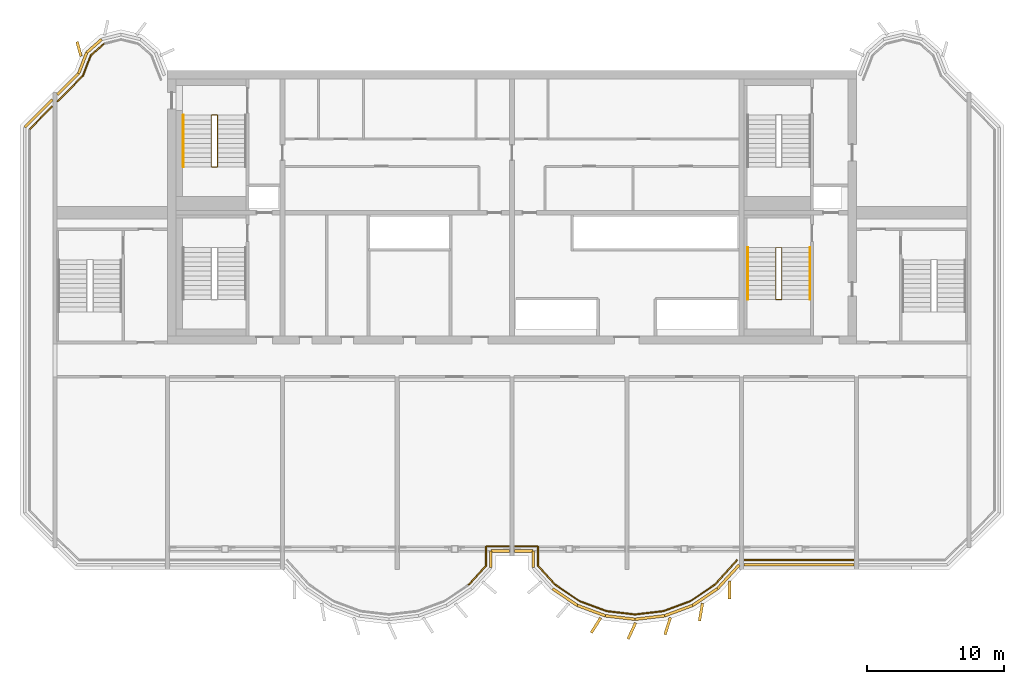
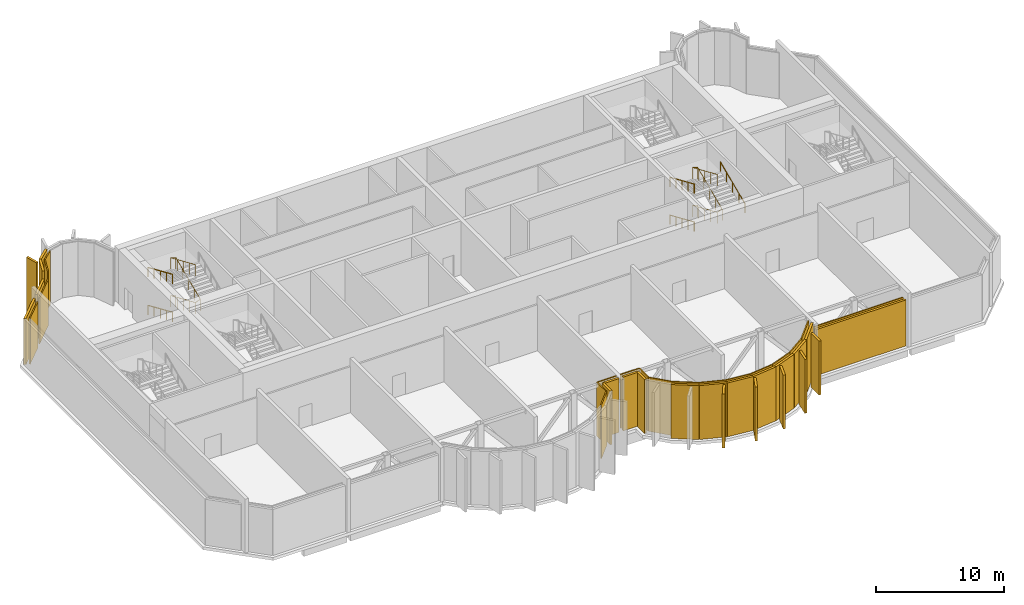
# One storey, part 9 of 11: 24 coverings, 16 shading devices, 7 railings.
"""IFC4 building model written with IfcOpenShell, lengths in metres."""

import ifcopenshell
import ifcopenshell.guid

model = None  # the IFC model being written
_history = None  # IfcOwnerHistory: only IFC2X3 demands one
_inside = {}  # id of a spatial element -> (the spatial element, [elements in it])
_under = {}  # id of a project, library or spatial element -> (it, [spatial elements below it])
_declared = {}  # id of a project -> (the project, [libraries it declares])
_typed = {}  # id of a type object -> (the type object, [elements of that type])
_made_of = {}  # id of a material, layer set ... -> (it, [elements and type objects made of it])


def new_model(schema):
    """Start an empty IFC model of exactly this schema.

    Asked for "IFC4X3", IfcOpenShell would pick the latest addendum, in which some entities
    have other attributes; the version numbers below select the first issue.
    IFC2X3 requires an IfcOwnerHistory on every rooted entity: one is made here for all.
    """
    global model, _history
    if schema == "IFC4X3":
        model = ifcopenshell.file(schema_version=(4, 3, 0, 0))
    else:
        model = ifcopenshell.file(schema=schema)
    _inside.clear()
    _under.clear()
    _declared.clear()
    _typed.clear()
    _made_of.clear()
    _history = None
    if model.schema == "IFC2X3":
        org = make("IfcOrganization", Name="unknown")
        user = make(
            "IfcPersonAndOrganization",
            ThePerson=make("IfcPerson", FamilyName="unknown"),
            TheOrganization=org,
        )
        app = make(
            "IfcApplication",
            ApplicationDeveloper=org,
            Version="unknown",
            ApplicationFullName="unknown",
            ApplicationIdentifier="unknown",
        )
        _history = make(
            "IfcOwnerHistory",
            OwningUser=user,
            OwningApplication=app,
            ChangeAction="ADDED",
            CreationDate=0,
        )
    return model


def make(cls, **values):
    """One entity of the class cls with the attributes given. An attribute that is None is left unset."""
    return model.create_entity(
        cls, **{name: value for name, value in values.items() if value is not None}
    )


def rooted(cls, **values):
    """An entity with a GlobalId (a new one), such as an element, a storey or a relation."""
    return make(cls, GlobalId=ifcopenshell.guid.new(), OwnerHistory=_history, **values)


def si_unit(unit_type, name, prefix=None):
    """IfcSIUnit, for example si_unit("LENGTHUNIT", "METRE", prefix="MILLI")."""
    return make("IfcSIUnit", UnitType=unit_type, Prefix=prefix, Name=name)


def assignment(units):
    """IfcUnitAssignment: the units of a project."""
    return None if units is None else make("IfcUnitAssignment", Units=units)


def point(xyz):
    """IfcCartesianPoint."""
    return None if xyz is None else make("IfcCartesianPoint", Coordinates=xyz)


def direction(xyz):
    """IfcDirection."""
    return None if xyz is None else make("IfcDirection", DirectionRatios=xyz)


def frame(location, z_axis=None, x_axis=None):
    """IfcAxis2Placement3D, a coordinate frame: its origin and axes. An axis left out is left unset."""
    return make(
        "IfcAxis2Placement3D",
        Location=point(location),
        Axis=direction(z_axis),
        RefDirection=direction(x_axis),
    )


def frame_2d(location, x_axis=None):
    """IfcAxis2Placement2D, a coordinate frame in the plane: its origin and x axis."""
    return make(
        "IfcAxis2Placement2D", Location=point(location), RefDirection=direction(x_axis)
    )


def origin():
    """The frame at (0, 0, 0) with its axes left unset."""
    return frame((0.0, 0.0, 0.0))


def origin_2d():
    """The frame at (0, 0) in the plane with its x axis left unset."""
    return frame_2d((0.0, 0.0))


def place(relative_to, where):
    """IfcLocalPlacement: puts the frame where relative to a parent placement (None: the world)."""
    return make(
        "IfcLocalPlacement", PlacementRelTo=relative_to, RelativePlacement=where
    )


def context(
    kind, dimensions, precision=None, world=None, true_north=None, identifier=None
):
    """IfcGeometricRepresentationContext, for example the 3D "Model" context."""
    return make(
        "IfcGeometricRepresentationContext",
        ContextIdentifier=identifier,
        ContextType=kind,
        CoordinateSpaceDimension=dimensions,
        Precision=precision,
        WorldCoordinateSystem=world,
        TrueNorth=true_north,
    )


def subcontext(parent, identifier, kind, view, scale=None):
    """IfcGeometricRepresentationSubContext, for example "Body" below "Model"."""
    return make(
        "IfcGeometricRepresentationSubContext",
        ContextIdentifier=identifier,
        ContextType=kind,
        ParentContext=parent,
        TargetScale=scale,
        TargetView=view,
    )


def project(units=None, contexts=None):
    """IfcProject with its units and contexts."""
    return rooted(
        "IfcProject",
        Name="project",
        RepresentationContexts=contexts,
        UnitsInContext=assignment(units),
    )


def spatial(cls, under=None, at=None, **own):
    """A site, building, storey or space (cls), placed at a placement, below another one or the project."""
    s = rooted(cls, ObjectPlacement=at, **own)
    if under is not None:
        _under.setdefault(under.id(), (under, []))[1].append(s)
    return s


def profile(cls, at=None, kind="AREA", **sizes):
    """A parametric profile (cls). Its sizes go by their IFC names, for example OverallWidth=200.0."""
    return make(cls, ProfileType=kind, Position=at, **sizes)


def rectangle(**sizes):
    """IfcRectangleProfileDef."""
    return profile("IfcRectangleProfileDef", **sizes)


def circle(**sizes):
    """IfcCircleProfileDef."""
    return profile("IfcCircleProfileDef", **sizes)


def extrude(swept, where, along, depth):
    """IfcExtrudedAreaSolid: the profile swept, set in the frame where, extruded along a direction by depth."""
    return make(
        "IfcExtrudedAreaSolid",
        SweptArea=swept,
        Position=where,
        ExtrudedDirection=direction(along),
        Depth=depth,
    )


def shape(context_of_items, identifier, shape_type, items):
    """IfcShapeRepresentation: the items that make up one representation, for example the "Body"."""
    return make(
        "IfcShapeRepresentation",
        ContextOfItems=context_of_items,
        RepresentationIdentifier=identifier,
        RepresentationType=shape_type,
        Items=items,
    )


def source(mapping_origin, context_of_items, identifier, shape_type, items):
    """IfcRepresentationMap: a shape defined once, which mapped items show again and again."""
    return make(
        "IfcRepresentationMap",
        MappingOrigin=mapping_origin,
        MappedRepresentation=shape(context_of_items, identifier, shape_type, items),
    )


def transform(
    local_origin,
    x_axis=None,
    y_axis=None,
    z_axis=None,
    scale=None,
    scale2=None,
    scale3=None,
    uniform=True,
):
    """IfcCartesianTransformationOperator3D, or its non-uniform kind. x_axis, y_axis, z_axis: its Axis1, 2, 3."""
    if uniform:
        return make(
            "IfcCartesianTransformationOperator3D",
            Axis1=direction(x_axis),
            Axis2=direction(y_axis),
            LocalOrigin=point(local_origin),
            Scale=scale,
            Axis3=direction(z_axis),
        )
    return make(
        "IfcCartesianTransformationOperator3DnonUniform",
        Axis1=direction(x_axis),
        Axis2=direction(y_axis),
        LocalOrigin=point(local_origin),
        Scale=scale,
        Axis3=direction(z_axis),
        Scale2=scale2,
        Scale3=scale3,
    )


def mapped(mapping_source, mapping_target):
    """IfcMappedItem: shows the shape of a source again, moved by a transform."""
    return make(
        "IfcMappedItem", MappingSource=mapping_source, MappingTarget=mapping_target
    )


def material(Name=None, Category=None):
    """IfcMaterial."""
    return make("IfcMaterial", Name=Name, Category=Category)


def layer(
    of_material, thickness, ventilated=None, Name=None, Category=None, Priority=None
):
    """IfcMaterialLayer: one layer of a wall or slab, of a material (None: an air gap)."""
    return make(
        "IfcMaterialLayer",
        Material=of_material,
        LayerThickness=thickness,
        IsVentilated=ventilated,
        Name=Name,
        Category=Category,
        Priority=Priority,
    )


def layer_set(layers, Name=None):
    """IfcMaterialLayerSet."""
    return make("IfcMaterialLayerSet", MaterialLayers=layers, LayerSetName=Name)


def material_profile(
    of_material, cross_section, Name=None, Category=None, Priority=None
):
    """IfcMaterialProfile: a cross section and its material."""
    return make(
        "IfcMaterialProfile",
        Name=Name,
        Material=of_material,
        Profile=cross_section,
        Priority=Priority,
        Category=Category,
    )


def profile_set(profiles, Name=None, composite=None):
    """IfcMaterialProfileSet."""
    return make(
        "IfcMaterialProfileSet",
        Name=Name,
        MaterialProfiles=profiles,
        CompositeProfile=composite,
    )


def made_of(thing, what):
    """Note that an element or type object is made of a material, layer set ...; save() writes the relation."""
    if what is not None:
        _made_of.setdefault(what.id(), (what, []))[1].append(thing)
    return thing


def type_object(cls, material=None, **own):
    """A type object (cls), such as IfcWallType, which elements share."""
    return made_of(rooted(cls, **own), material)


def element(
    cls,
    number,
    at=None,
    inside=None,
    cuts=None,
    type_object=None,
    material=None,
    context=None,
    identifier="Body",
    shape_type=None,
    held_by="IfcProductDefinitionShape",
    body=None,
    shapes=None,
    **own,
):
    """One element of the class cls, such as IfcWall. Its Tag is "e" and its number.

    at: its placement. inside: the storey or other place that contains it. cuts: it is an
    opening in that element (IfcRelVoidsElement). A single representation is given by context,
    identifier, shape_type and body (its items); several are given by shapes. held_by: the class
    of the entity that holds the representations. save() writes the other relations.
    """
    e = rooted(cls, Tag="e%d" % number, ObjectPlacement=at, **own)
    if body is not None:
        shapes = [shape(context, identifier, shape_type, body)]
    if shapes is not None:
        e.Representation = make(held_by, Representations=shapes)
    if inside is not None:
        _inside.setdefault(inside.id(), (inside, []))[1].append(e)
    if cuts is not None:
        rooted(
            "IfcRelVoidsElement", RelatingBuildingElement=cuts, RelatedOpeningElement=e
        )
    if type_object is not None:
        _typed.setdefault(type_object.id(), (type_object, []))[1].append(e)
    return made_of(e, material)


def aggregate(whole, parts):
    """IfcRelAggregates: a whole, such as a stair, and the parts it consists of."""
    return rooted("IfcRelAggregates", RelatingObject=whole, RelatedObjects=parts)


def save(model, path):
    """Write the relations noted so far, then the file.

    IfcRelAggregates (storeys below a building ...), IfcRelContainedInSpatialStructure (elements
    in a storey), IfcRelDefinesByType, IfcRelAssociatesMaterial and IfcRelDeclares: one each for
    every whole, place, type object, material and project.
    """
    for whole, parts in _under.values():
        aggregate(whole, parts)
    for where, things in _inside.values():
        rooted(
            "IfcRelContainedInSpatialStructure",
            RelatedElements=things,
            RelatingStructure=where,
        )
    for kind, things in _typed.values():
        rooted("IfcRelDefinesByType", RelatedObjects=things, RelatingType=kind)
    for what, things in _made_of.values():
        rooted("IfcRelAssociatesMaterial", RelatedObjects=things, RelatingMaterial=what)
    for by, libraries in _declared.values():
        rooted("IfcRelDeclares", RelatingContext=by, RelatedDefinitions=libraries)
    model.write(path)


model = new_model("IFC4")

# Units and contexts
model_context = context("Model", 3, precision=1e-05, world=origin(), true_north=direction((0.0, 1.0)))
body_context = subcontext(model_context, "Body", "Model", "MODEL_VIEW")
ifc_project = project(units=[si_unit("LENGTHUNIT", "METRE"), si_unit("AREAUNIT", "SQUARE_METRE"), si_unit("VOLUMEUNIT", "CUBIC_METRE"), si_unit("PLANEANGLEUNIT", "RADIAN"), si_unit("MASSUNIT", "GRAM", prefix="KILO")], contexts=[model_context])

# Site, building, storey
site_placement = place(None, origin())
site = spatial("IfcSite", under=ifc_project, at=site_placement, CompositionType="ELEMENT")
building_placement = place(site_placement, origin())
building = spatial("IfcBuilding", under=site, at=building_placement, Name="Vanashikhar Sky Hotel", CompositionType="ELEMENT")
storey_placement = place(building_placement, frame((0.0, 0.0, 264.699951171875)))
storey = spatial("IfcBuildingStorey", under=building, at=storey_placement, Name="L64", CompositionType="ELEMENT", Elevation=264.699951171875)

# Shading devices
ifc_material_1 = material(Name="Aluminium", Category="aluminium")
ifc_layer_1 = layer(ifc_material_1, 0.199951171875)
ifc_layer_set_1 = layer_set([ifc_layer_1], Name="Aluminium louvre band")
shading_device_type = type_object("IfcShadingDeviceType", Name="Aluminium louvre band", PredefinedType="USERDEFINED", material=ifc_layer_set_1)
shared_shape_1 = source(origin(), body_context, "Body", "SweptSolid", [
    extrude(rectangle(XDim=2.1875, YDim=0.199951171875, at=origin_2d()), origin(), (0.0, 0.0, 1.0), 5.1201171875),
])
for number, where, z_axis, x_axis, name in (
    (1, (54.2705078125, 3.482421875, 0.0), (0.0, 0.0, 1.0), (0.829583722896, -0.558382348132, 0.0), "Louvre band"),
    (2, (56.203125, 2.4912109375, 0.0), (0.0, 0.0, 1.0), (0.937537254303, -0.347884890149, 0.0), "Louvre band"),
    (3, (62.5966796875, 2.4912109375, 0.0), (0.0, 0.0, 1.0), (0.937537254303, 0.347884890149, 0.0), "Louvre band"),
    (4, (64.529541015625, 3.482421875, 0.0), (0.0, 0.0, 1.0), (0.829583722896, 0.558382348132, 0.0), "Louvre band"),
):
    element("IfcShadingDevice", number, at=place(storey_placement, frame(where, z_axis=z_axis, x_axis=x_axis)), inside=storey, type_object=shading_device_type, Name=name, ObjectType="LOUVRE", PredefinedType="USERDEFINED", context=body_context, shape_type="MappedRepresentation", body=[
        mapped(shared_shape_1, transform((0.0, 0.0, 0.0), scale=1.0)),
    ])
shared_shape_2 = source(origin(), body_context, "Body", "SweptSolid", [
    extrude(rectangle(XDim=2.1865234375, YDim=0.199951171875, at=origin_2d()), origin(), (0.0, 0.0, 1.0), 5.1201171875),
])
for number, where, z_axis, x_axis, name in (
    (5, (58.314453125, 1.9814453125, 0.0), (0.0, 0.0, 1.0), (0.993008838731, -0.118040019495, 0.0), "Louvre band"),
    (6, (60.485595703125, 1.9814453125, 0.0), (0.0, 0.0, 1.0), (0.993008838731, 0.118040019495, 0.0), "Louvre band"),
):
    element("IfcShadingDevice", number, at=place(storey_placement, frame(where, z_axis=z_axis, x_axis=x_axis)), inside=storey, type_object=shading_device_type, Name=name, ObjectType="LOUVRE", PredefinedType="USERDEFINED", context=body_context, shape_type="MappedRepresentation", body=[
        mapped(shared_shape_2, transform((0.0, 0.0, 0.0), scale=1.0)),
    ])
shared_shape_3 = source(origin(), body_context, "Body", "SweptSolid", [
    extrude(rectangle(XDim=1.214111328125, YDim=0.199951171875, at=origin_2d()), origin(), (0.0, 0.0, 1.0), 5.1201171875),
])
for number, where, z_axis, x_axis, name in (
    (7, (48.85009765625, 6.242919921875, 0.0), (0.0, 0.0, 1.0), (0.0, 1.0, 0.0), "Louvre band"),
    (8, (51.949951171875, 6.242919921875, 0.0), (0.0, 0.0, 1.0), (0.0, -1.0, 0.0), "Louvre band"),
):
    element("IfcShadingDevice", number, at=place(storey_placement, frame(where, z_axis=z_axis, x_axis=x_axis)), inside=storey, type_object=shading_device_type, Name=name, ObjectType="LOUVRE", PredefinedType="USERDEFINED", context=body_context, shape_type="MappedRepresentation", body=[
        mapped(shared_shape_3, transform((0.0, 0.0, 0.0), scale=1.0)),
    ])
shared_shape_4 = source(origin(), body_context, "Body", "SweptSolid", [
    extrude(rectangle(XDim=1.464599609375, YDim=0.199951171875, at=origin_2d()), origin(), (0.0, 0.0, 1.0), 5.1201171875),
])
shading_device_1_placement = place(storey_placement, frame((19.830078125, 43.805908203125, 0.0), z_axis=(0.0, 0.0, 1.0), x_axis=(-0.749741606437, -0.661730703214, 0.0)))
element("IfcShadingDevice", 9, at=shading_device_1_placement, inside=storey, type_object=shading_device_type, Name="Louvre band", ObjectType="LOUVRE", PredefinedType="USERDEFINED", context=body_context, shape_type="MappedRepresentation", body=[
    mapped(shared_shape_4, transform((0.0, 0.0, 0.0), scale=1.0)),
])

# Coverings
ifc_material_2 = material(Name="Concrete M40", Category="concrete")
ifc_layer_2 = layer(ifc_material_2, 0.10009765625)
ifc_layer_set_2 = layer_set([ifc_layer_2], Name="Plant floor cladding panel")
covering_type_1 = type_object("IfcCoveringType", Name="Plant floor cladding panel", PredefinedType="CLADDING", material=ifc_layer_set_2)
shared_shape_5 = source(origin(), body_context, "Body", "SweptSolid", [
    extrude(rectangle(XDim=2.49462890625, YDim=0.10009765625, at=origin_2d()), origin(), (0.0, 0.0, 1.0), 5.1201171875),
])
covering_1_placement = place(storey_placement, frame((66.049560546875, 5.280029296875, 0.0), z_axis=(0.0, 0.0, 1.0), x_axis=(0.675384294604, 0.737465968437, 0.0)))
element("IfcCovering", 10, at=covering_1_placement, inside=storey, type_object=covering_type_1, Name="Plant floor cladding panel", PredefinedType="CLADDING", context=body_context, shape_type="MappedRepresentation", body=[
    mapped(shared_shape_5, transform((0.0, 0.0, 0.0), scale=1.0)),
])
shared_shape_6 = source(origin(), body_context, "Body", "SweptSolid", [
    extrude(rectangle(XDim=2.104248046875, YDim=0.10009765625, at=origin_2d()), origin(), (0.0, 0.0, 1.0), 5.1201171875),
])
for number, where, z_axis, x_axis, name in (
    (11, (54.4658203125, 3.772705078125, 0.0), (0.0, 0.0, 1.0), (0.829603213612, -0.558353389857, 0.0), "Plant floor cladding panel"),
    (12, (64.333984375, 3.772705078125, 0.0), (0.0, 0.0, 1.0), (0.829603213612, 0.558353389857, 0.0), "Plant floor cladding panel"),
):
    element("IfcCovering", number, at=place(storey_placement, frame(where, z_axis=z_axis, x_axis=x_axis)), inside=storey, type_object=covering_type_1, Name=name, PredefinedType="CLADDING", context=body_context, shape_type="MappedRepresentation", body=[
        mapped(shared_shape_6, transform((0.0, 0.0, 0.0), scale=1.0)),
    ])
shared_shape_7 = source(origin(), body_context, "Body", "SweptSolid", [
    extrude(rectangle(XDim=2.10400390625, YDim=0.10009765625, at=origin_2d()), origin(), (0.0, 0.0, 1.0), 5.1201171875),
])
for number, where, z_axis, x_axis, name in (
    (13, (56.3251953125, 2.8193359375, 0.0), (0.0, 0.0, 1.0), (0.937537254303, -0.347884890149, 0.0), "Plant floor cladding panel"),
    (14, (62.474853515625, 2.8193359375, 0.0), (0.0, 0.0, 1.0), (0.937537254303, 0.347884890149, 0.0), "Plant floor cladding panel"),
):
    element("IfcCovering", number, at=place(storey_placement, frame(where, z_axis=z_axis, x_axis=x_axis)), inside=storey, type_object=covering_type_1, Name=name, PredefinedType="CLADDING", context=body_context, shape_type="MappedRepresentation", body=[
        mapped(shared_shape_7, transform((0.0, 0.0, 0.0), scale=1.0)),
    ])
shared_shape_8 = source(origin(), body_context, "Body", "SweptSolid", [
    extrude(rectangle(XDim=2.103271484375, YDim=0.10009765625, at=origin_2d()), origin(), (0.0, 0.0, 1.0), 5.1201171875),
])
for number, where, z_axis, x_axis, name in (
    (15, (58.355712890625, 2.3291015625, 0.0), (0.0, 0.0, 1.0), (0.993002656809, -0.118092013154, 0.0), "Plant floor cladding panel"),
    (16, (60.4443359375, 2.3291015625, 0.0), (0.0, 0.0, 1.0), (0.993002656809, 0.118092013154, 0.0), "Plant floor cladding panel"),
):
    element("IfcCovering", number, at=place(storey_placement, frame(where, z_axis=z_axis, x_axis=x_axis)), inside=storey, type_object=covering_type_1, Name=name, PredefinedType="CLADDING", context=body_context, shape_type="MappedRepresentation", body=[
        mapped(shared_shape_8, transform((0.0, 0.0, 0.0), scale=1.0)),
    ])
shared_shape_9 = source(origin(), body_context, "Body", "SweptSolid", [
    extrude(rectangle(XDim=1.91455078125, YDim=0.10009765625, at=origin_2d()), origin(), (0.0, 0.0, 1.0), 5.1201171875),
])
for number, where, z_axis, x_axis, name in (
    (17, (47.853515625, 5.066162109375, 0.0), (0.0, 0.0, 1.0), (0.675371423292, 0.737477756004, 0.0), "Plant floor cladding panel"),
    (18, (52.946533203125, 5.066162109375, 0.0), (0.0, 0.0, 1.0), (0.675371423292, -0.737477756004, 0.0), "Plant floor cladding panel"),
):
    element("IfcCovering", number, at=place(storey_placement, frame(where, z_axis=z_axis, x_axis=x_axis)), inside=storey, type_object=covering_type_1, Name=name, PredefinedType="CLADDING", context=body_context, shape_type="MappedRepresentation", body=[
        mapped(shared_shape_9, transform((0.0, 0.0, 0.0), scale=1.0)),
    ])
shared_shape_10 = source(origin(), body_context, "Body", "SweptSolid", [
    extrude(rectangle(XDim=1.427978515625, YDim=0.10009765625, at=origin_2d()), origin(), (0.0, 0.0, 1.0), 5.1201171875),
])
for number, where, z_axis, x_axis, name in (
    (19, (48.5, 6.486083984375, 0.0), (0.0, 0.0, 1.0), (0.0, 1.0, 0.0), "Plant floor cladding panel"),
    (20, (52.300048828125, 6.486083984375, 0.0), (0.0, 0.0, 1.0), (0.0, -1.0, 0.0), "Plant floor cladding panel"),
):
    element("IfcCovering", number, at=place(storey_placement, frame(where, z_axis=z_axis, x_axis=x_axis)), inside=storey, type_object=covering_type_1, Name=name, PredefinedType="CLADDING", context=body_context, shape_type="MappedRepresentation", body=[
        mapped(shared_shape_10, transform((0.0, 0.0, 0.0), scale=1.0)),
    ])
shared_shape_11 = source(origin(), body_context, "Body", "SweptSolid", [
    extrude(rectangle(XDim=1.29248046875, YDim=0.10009765625, at=origin_2d()), origin(), (0.0, 0.0, 1.0), 5.1201171875),
])
covering_2_placement = place(storey_placement, frame((20.061767578125, 43.543701171875, 0.0), z_axis=(0.0, 0.0, 1.0), x_axis=(-0.749683856685, -0.661796127993, 0.0)))
element("IfcCovering", 21, at=covering_2_placement, inside=storey, type_object=covering_type_1, Name="Plant floor cladding panel", PredefinedType="CLADDING", context=body_context, shape_type="MappedRepresentation", body=[
    mapped(shared_shape_11, transform((0.0, 0.0, 0.0), scale=1.0)),
])
ifc_material_3 = material(Name="Concrete M60 dark", Category="concrete")
ifc_material_profile_1 = material_profile(ifc_material_3, rectangle(XDim=1.10009765625, YDim=0.199951171875, at=origin_2d()))
ifc_profile_set_1 = profile_set([ifc_material_profile_1], Name="Rear lobe fin 1100 x 200")
covering_type_2 = type_object("IfcCoveringType", Name="Rear lobe fin 1100 x 200", PredefinedType="CLADDING", material=ifc_profile_set_1)
shared_shape_12 = source(origin(), body_context, "Body", "SweptSolid", [
    extrude(rectangle(XDim=1.10009765625, YDim=0.199951171875, at=origin_2d()), origin(), (0.0, 0.0, 1.0), 5.1201171875),
])
covering_3_placement = place(storey_placement, frame((18.720703125, 43.580078125, 0.0), z_axis=(0.0, 0.0, 1.0), x_axis=(-0.262711264409, 0.964874495234, 0.0)))
element("IfcCovering", 22, at=covering_3_placement, inside=storey, type_object=covering_type_2, Name="Fin R1-1", PredefinedType="CLADDING", context=body_context, shape_type="MappedRepresentation", body=[
    mapped(shared_shape_12, transform((0.0, 0.0, 0.0), scale=1.0)),
])
ifc_material_profile_2 = material_profile(ifc_material_3, rectangle(XDim=1.300048828125, YDim=0.199951171875, at=origin_2d()))
ifc_profile_set_2 = profile_set([ifc_material_profile_2], Name="Fin 1300 x 200")
covering_type_3 = type_object("IfcCoveringType", Name="Fin 1300 x 200", PredefinedType="CLADDING", material=ifc_profile_set_2)
shared_shape_13 = source(origin(), body_context, "Body", "SweptSolid", [
    extrude(rectangle(XDim=1.300048828125, YDim=0.199951171875, at=origin_2d()), origin(), (0.0, 0.0, 1.0), 5.1201171875),
])
for number, where, z_axis, x_axis, name in (
    (23, (56.547119140625, 1.416015625, 0.0), (0.0, 0.0, 1.0), (-0.534411358496, -0.845224526331, 0.0), "Fin F2-3"),
    (24, (59.16748046875, 1.00146484375, 0.0), (0.0, 0.0, 1.0), (-0.422618261741, -0.906307787037, 0.0), "Fin F2-4"),
    (25, (61.790771484375, 1.35693359375, 0.0), (0.0, 0.0, 1.0), (-0.303966551867, -0.952682704444, 0.0), "Fin F2-5"),
    (26, (64.2275390625, 2.3779296875, 0.0), (0.0, 0.0, 1.0), (-0.16989991575, -0.985461322746, 0.0), "Fin F2-6"),
    (27, (66.317626953125, 3.992919921875, 0.0), (0.0, 0.0, 1.0), (-0.011588726826, -0.999932848451, 0.0), "Fin F2-7"),
):
    element("IfcCovering", number, at=place(storey_placement, frame(where, z_axis=z_axis, x_axis=x_axis)), inside=storey, type_object=covering_type_3, Name=name, PredefinedType="CLADDING", context=body_context, shape_type="MappedRepresentation", body=[
        mapped(shared_shape_13, transform((0.0, 0.0, 0.0), scale=1.0)),
    ])

# Shading devices
shared_shape_14 = source(origin(), body_context, "Body", "SweptSolid", [
    extrude(rectangle(XDim=8.0400390625, YDim=0.199951171875, at=origin_2d()), origin(), (0.0, 0.0, 1.0), 4.3701171875),
])
shading_device_2_placement = place(storey_placement, frame((71.39990234375, 5.85009765625, 0.0), z_axis=(0.0, 0.0, 1.0), x_axis=(1.0, 0.0, 0.0)))
element("IfcShadingDevice", 28, at=shading_device_2_placement, inside=storey, type_object=shading_device_type, Name="Louvre band", ObjectType="LOUVRE", PredefinedType="USERDEFINED", context=body_context, shape_type="MappedRepresentation", body=[
    mapped(shared_shape_14, transform((0.0, 0.0, 0.0), scale=1.0)),
])
shared_shape_15 = source(origin(), body_context, "Body", "SweptSolid", [
    extrude(rectangle(XDim=2.343994140625, YDim=0.199951171875, at=origin_2d()), origin(), (0.0, 0.0, 1.0), 5.1201171875),
])
shading_device_3_placement = place(storey_placement, frame((66.228515625, 4.95751953125, 0.0), z_axis=(0.0, 0.0, 1.0), x_axis=(0.675358551774, 0.737489543347, 0.0)))
element("IfcShadingDevice", 29, at=shading_device_3_placement, inside=storey, type_object=shading_device_type, Name="Louvre band", ObjectType="LOUVRE", PredefinedType="USERDEFINED", context=body_context, shape_type="MappedRepresentation", body=[
    mapped(shared_shape_15, transform((0.0, 0.0, 0.0), scale=1.0)),
])
shared_shape_16 = source(origin(), body_context, "Body", "SweptSolid", [
    extrude(rectangle(XDim=1.3701171875, YDim=0.199951171875, at=origin_2d()), origin(), (0.0, 0.0, 1.0), 5.1201171875),
])
for number, where, z_axis, x_axis, name in (
    (30, (49.534912109375, 6.85009765625, 0.0), (0.0, 0.0, 1.0), (1.0, 0.0, 0.0), "Louvre band"),
    (31, (51.264892578125, 6.85009765625, 0.0), (0.0, 0.0, 1.0), (1.0, 0.0, 0.0), "Louvre band"),
):
    element("IfcShadingDevice", number, at=place(storey_placement, frame(where, z_axis=z_axis, x_axis=x_axis)), inside=storey, type_object=shading_device_type, Name=name, ObjectType="LOUVRE", PredefinedType="USERDEFINED", context=body_context, shape_type="MappedRepresentation", body=[
        mapped(shared_shape_16, transform((0.0, 0.0, 0.0), scale=1.0)),
    ])

# Coverings
shared_shape_17 = source(origin(), body_context, "Body", "SweptSolid", [
    extrude(rectangle(XDim=8.0400390625, YDim=0.10009765625, at=origin_2d()), origin(), (0.0, 0.0, 1.0), 4.3701171875),
])
covering_4_placement = place(storey_placement, frame((71.39990234375, 6.199951171875, 0.0), z_axis=(0.0, 0.0, 1.0), x_axis=(1.0, 0.0, 0.0)))
element("IfcCovering", 32, at=covering_4_placement, inside=storey, type_object=covering_type_1, Name="Plant floor cladding panel", PredefinedType="CLADDING", context=body_context, shape_type="MappedRepresentation", body=[
    mapped(shared_shape_17, transform((0.0, 0.0, 0.0), scale=1.0)),
])
shared_shape_18 = source(origin(), body_context, "Body", "SweptSolid", [
    extrude(rectangle(XDim=1.719970703125, YDim=0.10009765625, at=origin_2d()), origin(), (0.0, 0.0, 1.0), 5.1201171875),
])
for number, where, z_axis, x_axis, name in (
    (33, (49.360107421875, 7.199951171875, 0.0), (0.0, 0.0, 1.0), (1.0, 0.0, 0.0), "Plant floor cladding panel"),
    (34, (51.43994140625, 7.199951171875, 0.0), (0.0, 0.0, 1.0), (1.0, 0.0, 0.0), "Plant floor cladding panel"),
):
    element("IfcCovering", number, at=place(storey_placement, frame(where, z_axis=z_axis, x_axis=x_axis)), inside=storey, type_object=covering_type_1, Name=name, PredefinedType="CLADDING", context=body_context, shape_type="MappedRepresentation", body=[
        mapped(shared_shape_18, transform((0.0, 0.0, 0.0), scale=1.0)),
    ])

# Shading devices
shared_shape_19 = source(origin(), body_context, "Body", "SweptSolid", [
    extrude(rectangle(XDim=2.856689453125, YDim=0.199951171875, at=origin_2d()), origin(), (0.0, 0.0, 1.0), 4.3701171875),
])
shading_device_4_placement = place(storey_placement, frame((15.760009765625, 38.864990234375, 0.0), z_axis=(0.0, 0.0, 1.0), x_axis=(-0.707106781187, -0.707106781187, 0.0)))
element("IfcShadingDevice", 35, at=shading_device_4_placement, inside=storey, type_object=shading_device_type, Name="Louvre band", ObjectType="LOUVRE", PredefinedType="USERDEFINED", context=body_context, shape_type="MappedRepresentation", body=[
    mapped(shared_shape_19, transform((0.0, 0.0, 0.0), scale=1.0)),
])
shared_shape_20 = source(origin(), body_context, "Body", "SweptSolid", [
    extrude(rectangle(XDim=2.220703125, YDim=0.199951171875, at=origin_2d()), origin(), (0.0, 0.0, 1.0), 4.3701171875),
])
shading_device_5_placement = place(storey_placement, frame((17.9150390625, 41.02001953125, 0.0), z_axis=(0.0, 0.0, 1.0), x_axis=(-0.707106781187, -0.707106781187, 0.0)))
element("IfcShadingDevice", 36, at=shading_device_5_placement, inside=storey, type_object=shading_device_type, Name="Louvre band", ObjectType="LOUVRE", PredefinedType="USERDEFINED", context=body_context, shape_type="MappedRepresentation", body=[
    mapped(shared_shape_20, transform((0.0, 0.0, 0.0), scale=1.0)),
])
shared_shape_21 = source(origin(), body_context, "Body", "SweptSolid", [
    extrude(rectangle(XDim=1.623779296875, YDim=0.199951171875, at=origin_2d()), origin(), (0.0, 0.0, 1.0), 5.1201171875),
])
shading_device_6_placement = place(storey_placement, frame((18.990478515625, 42.563232421875, 0.0), z_axis=(0.0, 0.0, 1.0), x_axis=(-0.357748696787, -0.933817899779, 0.0)))
element("IfcShadingDevice", 37, at=shading_device_6_placement, inside=storey, type_object=shading_device_type, Name="Louvre band", ObjectType="LOUVRE", PredefinedType="USERDEFINED", context=body_context, shape_type="MappedRepresentation", body=[
    mapped(shared_shape_21, transform((0.0, 0.0, 0.0), scale=1.0)),
])

# Coverings
shared_shape_22 = source(origin(), body_context, "Body", "SweptSolid", [
    extrude(rectangle(XDim=2.36181640625, YDim=0.10009765625, at=origin_2d()), origin(), (0.0, 0.0, 1.0), 4.3701171875),
])
covering_5_placement = place(storey_placement, frame((15.93505859375, 38.545166015625, 0.0), z_axis=(0.0, 0.0, 1.0), x_axis=(-0.70711912242, -0.707094439737, 0.0)))
element("IfcCovering", 38, at=covering_5_placement, inside=storey, type_object=covering_type_1, Name="Plant floor cladding panel", PredefinedType="CLADDING", context=body_context, shape_type="MappedRepresentation", body=[
    mapped(shared_shape_22, transform((0.0, 0.0, 0.0), scale=1.0)),
])
shared_shape_23 = source(origin(), body_context, "Body", "SweptSolid", [
    extrude(rectangle(XDim=2.64501953125, YDim=0.10009765625, at=origin_2d()), origin(), (0.0, 0.0, 1.0), 4.3701171875),
])
covering_6_placement = place(storey_placement, frame((18.065185546875, 40.67529296875, 0.0), z_axis=(0.0, 0.0, 1.0), x_axis=(-0.70711912242, -0.707094439737, 0.0)))
element("IfcCovering", 39, at=covering_6_placement, inside=storey, type_object=covering_type_1, Name="Plant floor cladding panel", PredefinedType="CLADDING", context=body_context, shape_type="MappedRepresentation", body=[
    mapped(shared_shape_23, transform((0.0, 0.0, 0.0), scale=1.0)),
])
shared_shape_24 = source(origin(), body_context, "Body", "SweptSolid", [
    extrude(rectangle(XDim=1.6123046875, YDim=0.10009765625, at=origin_2d()), origin(), (0.0, 0.0, 1.0), 5.1201171875),
])
covering_7_placement = place(storey_placement, frame((19.288818359375, 42.36328125, 0.0), z_axis=(0.0, 0.0, 1.0), x_axis=(-0.357748696787, -0.933817899779, 0.0)))
element("IfcCovering", 40, at=covering_7_placement, inside=storey, type_object=covering_type_1, Name="Plant floor cladding panel", PredefinedType="CLADDING", context=body_context, shape_type="MappedRepresentation", body=[
    mapped(shared_shape_24, transform((0.0, 0.0, 0.0), scale=1.0)),
])

# Railings
ifc_material_4 = material(Name="Steel S355", Category="steel")
railing_type_1 = type_object("IfcRailingType", Name="Stair handrail 900", PredefinedType="HANDRAIL", material=ifc_material_4)
shared_shape_25 = source(origin(), body_context, "Body", "SweptSolid", [
    extrude(circle(Radius=0.02392578125, at=origin_2d()), frame((0.0, 0.0, 0.8759765625), z_axis=(0.0, -0.917250781605, 0.398310185215), x_axis=(1.0, 0.0, 0.0)), (0.0, 0.0, 1.0), 4.142822265625),
    extrude(circle(Radius=0.02099609375, at=origin_2d()), origin(), (0.0, 0.0, 1.0), 0.851806640625),
    extrude(circle(Radius=0.02099609375, at=origin_2d()), frame((0.0, -0.949951171875, 0.41259765625)), (0.0, 0.0, 1.0), 0.851806640625),
    extrude(circle(Radius=0.02099609375, at=origin_2d()), frame((0.0, -1.89990234375, 0.8251953125)), (0.0, 0.0, 1.0), 0.851806640625),
    extrude(circle(Radius=0.02099609375, at=origin_2d()), frame((0.0, -2.85009765625, 1.237548828125)), (0.0, 0.0, 1.0), 0.851806640625),
    extrude(circle(Radius=0.02099609375, at=origin_2d()), frame((0.0, -3.800048828125, 1.650146484375)), (0.0, 0.0, 1.0), 0.851806640625),
])
for number, where, name in (
    (41, (67.64990234375, 29.050048828125, 3.75), "Exit stair 2 handrail"),
    (42, (26.35009765625, 38.75, 3.75), "Exit stair 5 handrail"),
):
    element("IfcRailing", number, at=place(storey_placement, frame(where)), inside=storey, type_object=railing_type_1, Name=name, PredefinedType="HANDRAIL", context=body_context, shape_type="MappedRepresentation", body=[
        mapped(shared_shape_25, transform((0.0, 0.0, 0.0), scale=1.0)),
    ])
shared_shape_26 = source(origin(), body_context, "Body", "SweptSolid", [
    extrude(circle(Radius=0.02392578125, at=origin_2d()), frame((0.0, 0.0, 0.8759765625), z_axis=(0.0, 0.917250781605, 0.398310185215), x_axis=(-1.0, 0.0, 0.0)), (0.0, 0.0, 1.0), 4.142822265625),
    extrude(circle(Radius=0.02099609375, at=origin_2d()), origin(), (0.0, 0.0, 1.0), 0.851806640625),
    extrude(circle(Radius=0.02099609375, at=origin_2d()), frame((0.0, 0.949951171875, 0.41259765625)), (0.0, 0.0, 1.0), 0.851806640625),
    extrude(circle(Radius=0.02099609375, at=origin_2d()), frame((0.0, 1.89990234375, 0.8251953125)), (0.0, 0.0, 1.0), 0.851806640625),
    extrude(circle(Radius=0.02099609375, at=origin_2d()), frame((0.0, 2.85009765625, 1.237548828125)), (0.0, 0.0, 1.0), 0.851806640625),
    extrude(circle(Radius=0.02099609375, at=origin_2d()), frame((0.0, 3.800048828125, 1.650146484375)), (0.0, 0.0, 1.0), 0.851806640625),
])
railing_1_placement = place(storey_placement, frame((72.199951171875, 25.25, 1.949951171875)))
element("IfcRailing", 43, at=railing_1_placement, inside=storey, type_object=railing_type_1, Name="Exit stair 2 handrail", PredefinedType="HANDRAIL", context=body_context, shape_type="MappedRepresentation", body=[
    mapped(shared_shape_26, transform((0.0, 0.0, 0.0), scale=1.0)),
])
shared_shape_27 = source(origin(), body_context, "Body", "SweptSolid", [
    extrude(circle(Radius=0.02392578125, at=origin_2d()), frame((0.0, 0.0, 0.8759765625), z_axis=(0.0, -0.91727231099, 0.398260602484), x_axis=(1.0, 0.0, 0.0)), (0.0, 0.0, 1.0), 4.142822265625),
    extrude(circle(Radius=0.02099609375, at=origin_2d()), origin(), (0.0, 0.0, 1.0), 0.851806640625),
    extrude(circle(Radius=0.02099609375, at=origin_2d()), frame((0.0, -0.949951171875, 0.41259765625)), (0.0, 0.0, 1.0), 0.851806640625),
    extrude(circle(Radius=0.02099609375, at=origin_2d()), frame((0.0, -1.89990234375, 0.824951171875)), (0.0, 0.0, 1.0), 0.851806640625),
    extrude(circle(Radius=0.02099609375, at=origin_2d()), frame((0.0, -2.85009765625, 1.2373046875)), (0.0, 0.0, 1.0), 0.851806640625),
    extrude(circle(Radius=0.02099609375, at=origin_2d()), frame((0.0, -3.800048828125, 1.64990234375)), (0.0, 0.0, 1.0), 0.851806640625),
])
for number, where, name in (
    (44, (67.64990234375, 29.050048828125, 0.150146484375), "Exit stair 2 handrail"),
    (45, (26.35009765625, 38.75, 0.150146484375), "Exit stair 5 handrail"),
):
    element("IfcRailing", number, at=place(storey_placement, frame(where)), inside=storey, type_object=railing_type_1, Name=name, PredefinedType="HANDRAIL", context=body_context, shape_type="MappedRepresentation", body=[
        mapped(shared_shape_27, transform((0.0, 0.0, 0.0), scale=1.0)),
    ])
railing_type_2 = type_object("IfcRailingType", Name="Stair guard 1100", PredefinedType="GUARDRAIL", material=ifc_material_4)
shared_shape_28 = source(origin(), body_context, "Body", "SweptSolid", [
    extrude(circle(Radius=0.02392578125, at=origin_2d()), frame((0.0, 0.0, 1.076171875), z_axis=(-0.948631841254, 0.0, 0.316382094561), x_axis=(0.0, -1.0, 0.0)), (0.0, 0.0, 1.0), 0.474609375),
    extrude(circle(Radius=0.02392578125, at=origin_2d()), frame((-0.4501953125, 0.0, 1.22607421875), z_axis=(0.0, -0.91727231099, 0.398260602484), x_axis=(1.0, 0.0, 0.0)), (0.0, 0.0, 1.0), 4.142822265625),
    extrude(circle(Radius=0.02392578125, at=origin_2d()), frame((-0.4501953125, -3.800048828125, 2.8759765625), z_axis=(0.948786153043, 0.0, 0.315919033605), x_axis=(0.0, 1.0, 0.0)), (0.0, 0.0, 1.0), 0.474609375),
    extrude(circle(Radius=0.02392578125, at=origin_2d()), frame((0.0, -3.800048828125, 3.02587890625), z_axis=(0.0, 0.917250781605, 0.398310185215), x_axis=(-1.0, 0.0, 0.0)), (0.0, 0.0, 1.0), 4.142822265625),
    extrude(circle(Radius=0.02392578125, at=origin_2d()), frame((0.0, 0.0, 4.67626953125), z_axis=(-0.948786153043, 0.0, 0.315919033605), x_axis=(0.0, -1.0, 0.0)), (0.0, 0.0, 1.0), 0.474609375),
    extrude(circle(Radius=0.02392578125, at=origin_2d()), frame((-0.4501953125, 0.0, 4.826171875), z_axis=(0.0, -0.917250781605, 0.398310185215), x_axis=(1.0, 0.0, 0.0)), (0.0, 0.0, 1.0), 4.142822265625),
    extrude(circle(Radius=0.02099609375, at=origin_2d()), origin(), (0.0, 0.0, 1.0), 1.052001953125),
    extrude(circle(Radius=0.02099609375, at=origin_2d()), frame((-0.4501953125, 0.0, 0.150146484375)), (0.0, 0.0, 1.0), 1.052001953125),
    extrude(circle(Radius=0.02099609375, at=origin_2d()), frame((-0.4501953125, -0.949951171875, 0.5625)), (0.0, 0.0, 1.0), 1.052001953125),
    extrude(circle(Radius=0.02099609375, at=origin_2d()), frame((-0.4501953125, -1.89990234375, 0.97509765625)), (0.0, 0.0, 1.0), 1.052001953125),
    extrude(circle(Radius=0.02099609375, at=origin_2d()), frame((-0.4501953125, -2.85009765625, 1.3876953125)), (0.0, 0.0, 1.0), 1.052001953125),
    extrude(circle(Radius=0.02099609375, at=origin_2d()), frame((-0.4501953125, -3.800048828125, 1.800048828125)), (0.0, 0.0, 1.0), 1.052001953125),
    extrude(circle(Radius=0.02099609375, at=origin_2d()), frame((0.0, -3.800048828125, 1.949951171875)), (0.0, 0.0, 1.0), 1.052001953125),
    extrude(circle(Radius=0.02099609375, at=origin_2d()), frame((0.0, -2.85009765625, 2.362548828125)), (0.0, 0.0, 1.0), 1.052001953125),
    extrude(circle(Radius=0.02099609375, at=origin_2d()), frame((0.0, -1.89990234375, 2.77490234375)), (0.0, 0.0, 1.0), 1.052001953125),
    extrude(circle(Radius=0.02099609375, at=origin_2d()), frame((0.0, -0.949951171875, 3.1875)), (0.0, 0.0, 1.0), 1.052001953125),
    extrude(circle(Radius=0.02099609375, at=origin_2d()), frame((0.0, 0.0, 3.60009765625)), (0.0, 0.0, 1.0), 1.052001953125),
    extrude(circle(Radius=0.02099609375, at=origin_2d()), frame((-0.4501953125, 0.0, 3.75)), (0.0, 0.0, 1.0), 1.052001953125),
    extrude(circle(Radius=0.02099609375, at=origin_2d()), frame((-0.4501953125, -0.949951171875, 4.16259765625)), (0.0, 0.0, 1.0), 1.052001953125),
    extrude(circle(Radius=0.02099609375, at=origin_2d()), frame((-0.4501953125, -1.89990234375, 4.5751953125)), (0.0, 0.0, 1.0), 1.052001953125),
    extrude(circle(Radius=0.02099609375, at=origin_2d()), frame((-0.4501953125, -2.85009765625, 4.987548828125)), (0.0, 0.0, 1.0), 1.052001953125),
    extrude(circle(Radius=0.02099609375, at=origin_2d()), frame((-0.4501953125, -3.800048828125, 5.400146484375)), (0.0, 0.0, 1.0), 1.052001953125),
])
railing_2_placement = place(storey_placement, frame((28.85009765625, 38.75, 0.0)))
element("IfcRailing", 46, at=railing_2_placement, inside=storey, type_object=railing_type_2, Name="Exit stair 5 guard", PredefinedType="GUARDRAIL", context=body_context, shape_type="MappedRepresentation", body=[
    mapped(shared_shape_28, transform((0.0, 0.0, 0.0), scale=1.0)),
])
shared_shape_29 = source(origin(), body_context, "Body", "SweptSolid", [
    extrude(circle(Radius=0.02392578125, at=origin_2d()), frame((0.0, 0.0, 1.076171875), z_axis=(-0.948580309067, 0.0, 0.316536565424), x_axis=(0.0, -1.0, 0.0)), (0.0, 0.0, 1.0), 0.474365234375),
    extrude(circle(Radius=0.02392578125, at=origin_2d()), frame((-0.449951171875, 0.0, 1.22607421875), z_axis=(0.0, -0.91727231099, 0.398260602484), x_axis=(1.0, 0.0, 0.0)), (0.0, 0.0, 1.0), 4.142822265625),
    extrude(circle(Radius=0.02392578125, at=origin_2d()), frame((-0.449951171875, -3.800048828125, 2.8759765625), z_axis=(0.948734763221, 0.0, 0.316073328604), x_axis=(0.0, 1.0, 0.0)), (0.0, 0.0, 1.0), 0.474365234375),
    extrude(circle(Radius=0.02392578125, at=origin_2d()), frame((0.0, -3.800048828125, 3.02587890625), z_axis=(0.0, 0.917250781605, 0.398310185215), x_axis=(-1.0, 0.0, 0.0)), (0.0, 0.0, 1.0), 4.142822265625),
    extrude(circle(Radius=0.02392578125, at=origin_2d()), frame((0.0, 0.0, 4.67626953125), z_axis=(-0.948734763221, 0.0, 0.316073328604), x_axis=(0.0, -1.0, 0.0)), (0.0, 0.0, 1.0), 0.474365234375),
    extrude(circle(Radius=0.02392578125, at=origin_2d()), frame((-0.449951171875, 0.0, 4.826171875), z_axis=(0.0, -0.917250781605, 0.398310185215), x_axis=(1.0, 0.0, 0.0)), (0.0, 0.0, 1.0), 4.142822265625),
    extrude(circle(Radius=0.02099609375, at=origin_2d()), origin(), (0.0, 0.0, 1.0), 1.052001953125),
    extrude(circle(Radius=0.02099609375, at=origin_2d()), frame((-0.449951171875, 0.0, 0.150146484375)), (0.0, 0.0, 1.0), 1.052001953125),
    extrude(circle(Radius=0.02099609375, at=origin_2d()), frame((-0.449951171875, -0.949951171875, 0.5625)), (0.0, 0.0, 1.0), 1.052001953125),
    extrude(circle(Radius=0.02099609375, at=origin_2d()), frame((-0.449951171875, -1.89990234375, 0.97509765625)), (0.0, 0.0, 1.0), 1.052001953125),
    extrude(circle(Radius=0.02099609375, at=origin_2d()), frame((-0.449951171875, -2.85009765625, 1.3876953125)), (0.0, 0.0, 1.0), 1.052001953125),
    extrude(circle(Radius=0.02099609375, at=origin_2d()), frame((-0.449951171875, -3.800048828125, 1.800048828125)), (0.0, 0.0, 1.0), 1.052001953125),
    extrude(circle(Radius=0.02099609375, at=origin_2d()), frame((0.0, -3.800048828125, 1.949951171875)), (0.0, 0.0, 1.0), 1.052001953125),
    extrude(circle(Radius=0.02099609375, at=origin_2d()), frame((0.0, -2.85009765625, 2.362548828125)), (0.0, 0.0, 1.0), 1.052001953125),
    extrude(circle(Radius=0.02099609375, at=origin_2d()), frame((0.0, -1.89990234375, 2.77490234375)), (0.0, 0.0, 1.0), 1.052001953125),
    extrude(circle(Radius=0.02099609375, at=origin_2d()), frame((0.0, -0.949951171875, 3.1875)), (0.0, 0.0, 1.0), 1.052001953125),
    extrude(circle(Radius=0.02099609375, at=origin_2d()), frame((0.0, 0.0, 3.60009765625)), (0.0, 0.0, 1.0), 1.052001953125),
    extrude(circle(Radius=0.02099609375, at=origin_2d()), frame((-0.449951171875, 0.0, 3.75)), (0.0, 0.0, 1.0), 1.052001953125),
    extrude(circle(Radius=0.02099609375, at=origin_2d()), frame((-0.449951171875, -0.949951171875, 4.16259765625)), (0.0, 0.0, 1.0), 1.052001953125),
    extrude(circle(Radius=0.02099609375, at=origin_2d()), frame((-0.449951171875, -1.89990234375, 4.5751953125)), (0.0, 0.0, 1.0), 1.052001953125),
    extrude(circle(Radius=0.02099609375, at=origin_2d()), frame((-0.449951171875, -2.85009765625, 4.987548828125)), (0.0, 0.0, 1.0), 1.052001953125),
    extrude(circle(Radius=0.02099609375, at=origin_2d()), frame((-0.449951171875, -3.800048828125, 5.400146484375)), (0.0, 0.0, 1.0), 1.052001953125),
])
railing_3_placement = place(storey_placement, frame((70.14990234375, 29.050048828125, 0.0)))
element("IfcRailing", 47, at=railing_3_placement, inside=storey, type_object=railing_type_2, Name="Exit stair 2 guard", PredefinedType="GUARDRAIL", context=body_context, shape_type="MappedRepresentation", body=[
    mapped(shared_shape_29, transform((0.0, 0.0, 0.0), scale=1.0)),
])

save(model, "model.ifc")
